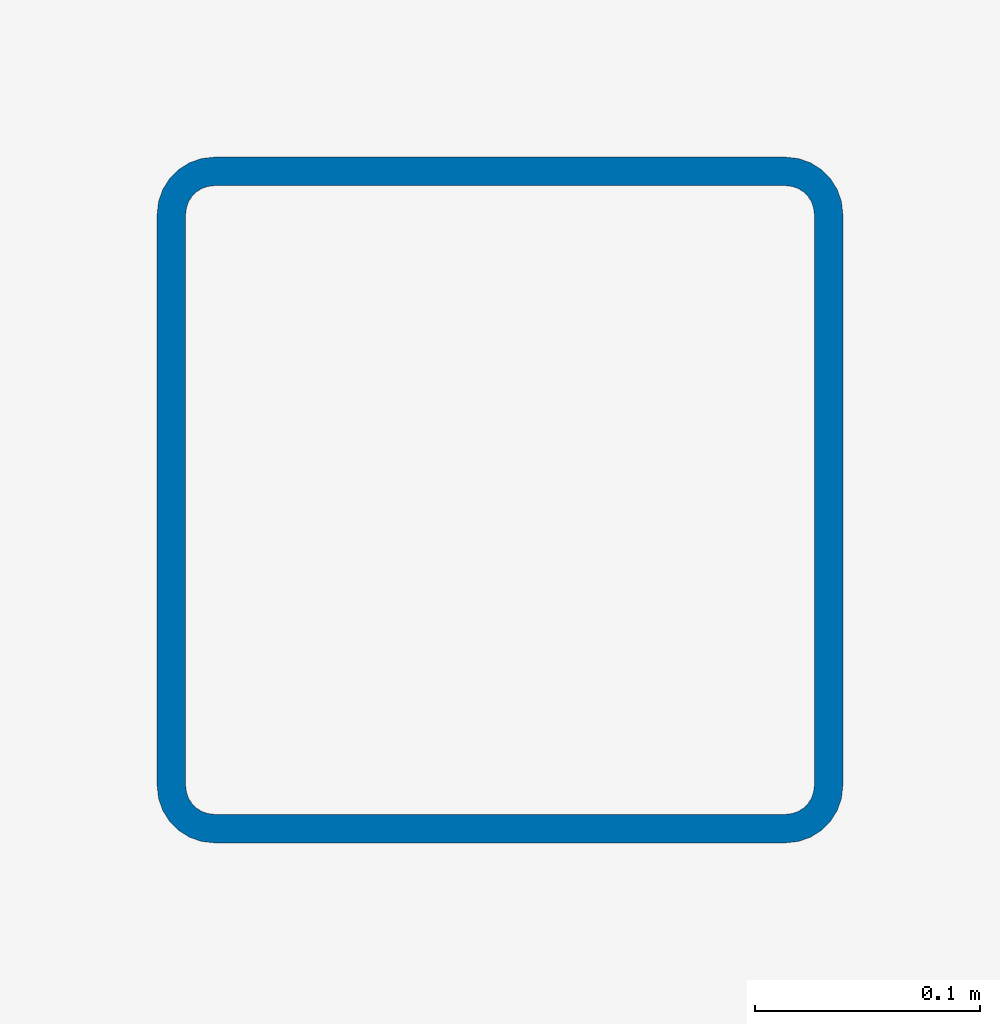
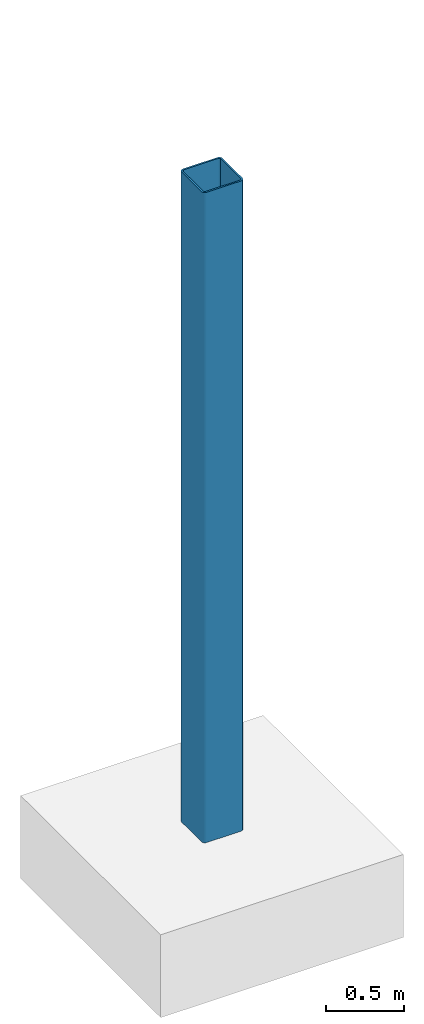
# One storey, part 26 of 67: 1 column.
"""IFC4 building model written with IfcOpenShell, lengths in metres."""

import ifcopenshell
import ifcopenshell.guid

model = None  # the IFC model being written
_history = None  # IfcOwnerHistory: only IFC2X3 demands one
_inside = {}  # id of a spatial element -> (the spatial element, [elements in it])
_under = {}  # id of a project, library or spatial element -> (it, [spatial elements below it])
_declared = {}  # id of a project -> (the project, [libraries it declares])
_typed = {}  # id of a type object -> (the type object, [elements of that type])
_made_of = {}  # id of a material, layer set ... -> (it, [elements and type objects made of it])


def new_model(schema):
    """Start an empty IFC model of exactly this schema.

    Asked for "IFC4X3", IfcOpenShell would pick the latest addendum, in which some entities
    have other attributes; the version numbers below select the first issue.
    IFC2X3 requires an IfcOwnerHistory on every rooted entity: one is made here for all.
    """
    global model, _history
    if schema == "IFC4X3":
        model = ifcopenshell.file(schema_version=(4, 3, 0, 0))
    else:
        model = ifcopenshell.file(schema=schema)
    _inside.clear()
    _under.clear()
    _declared.clear()
    _typed.clear()
    _made_of.clear()
    _history = None
    if model.schema == "IFC2X3":
        org = make("IfcOrganization", Name="unknown")
        user = make(
            "IfcPersonAndOrganization",
            ThePerson=make("IfcPerson", FamilyName="unknown"),
            TheOrganization=org,
        )
        app = make(
            "IfcApplication",
            ApplicationDeveloper=org,
            Version="unknown",
            ApplicationFullName="unknown",
            ApplicationIdentifier="unknown",
        )
        _history = make(
            "IfcOwnerHistory",
            OwningUser=user,
            OwningApplication=app,
            ChangeAction="ADDED",
            CreationDate=0,
        )
    return model


def make(cls, **values):
    """One entity of the class cls with the attributes given. An attribute that is None is left unset."""
    return model.create_entity(
        cls, **{name: value for name, value in values.items() if value is not None}
    )


def rooted(cls, **values):
    """An entity with a GlobalId (a new one), such as an element, a storey or a relation."""
    return make(cls, GlobalId=ifcopenshell.guid.new(), OwnerHistory=_history, **values)


def si_unit(unit_type, name, prefix=None):
    """IfcSIUnit, for example si_unit("LENGTHUNIT", "METRE", prefix="MILLI")."""
    return make("IfcSIUnit", UnitType=unit_type, Prefix=prefix, Name=name)


def assignment(units):
    """IfcUnitAssignment: the units of a project."""
    return None if units is None else make("IfcUnitAssignment", Units=units)


def point(xyz):
    """IfcCartesianPoint."""
    return None if xyz is None else make("IfcCartesianPoint", Coordinates=xyz)


def direction(xyz):
    """IfcDirection."""
    return None if xyz is None else make("IfcDirection", DirectionRatios=xyz)


def frame(location, z_axis=None, x_axis=None):
    """IfcAxis2Placement3D, a coordinate frame: its origin and axes. An axis left out is left unset."""
    return make(
        "IfcAxis2Placement3D",
        Location=point(location),
        Axis=direction(z_axis),
        RefDirection=direction(x_axis),
    )


def frame_2d(location, x_axis=None):
    """IfcAxis2Placement2D, a coordinate frame in the plane: its origin and x axis."""
    return make(
        "IfcAxis2Placement2D", Location=point(location), RefDirection=direction(x_axis)
    )


def origin():
    """The frame at (0, 0, 0) with its axes left unset."""
    return frame((0.0, 0.0, 0.0))


def origin_2d():
    """The frame at (0, 0) in the plane with its x axis left unset."""
    return frame_2d((0.0, 0.0))


def place(relative_to, where):
    """IfcLocalPlacement: puts the frame where relative to a parent placement (None: the world)."""
    return make(
        "IfcLocalPlacement", PlacementRelTo=relative_to, RelativePlacement=where
    )


def context(
    kind, dimensions, precision=None, world=None, true_north=None, identifier=None
):
    """IfcGeometricRepresentationContext, for example the 3D "Model" context."""
    return make(
        "IfcGeometricRepresentationContext",
        ContextIdentifier=identifier,
        ContextType=kind,
        CoordinateSpaceDimension=dimensions,
        Precision=precision,
        WorldCoordinateSystem=world,
        TrueNorth=true_north,
    )


def subcontext(parent, identifier, kind, view, scale=None):
    """IfcGeometricRepresentationSubContext, for example "Body" below "Model"."""
    return make(
        "IfcGeometricRepresentationSubContext",
        ContextIdentifier=identifier,
        ContextType=kind,
        ParentContext=parent,
        TargetScale=scale,
        TargetView=view,
    )


def project(units=None, contexts=None):
    """IfcProject with its units and contexts."""
    return rooted(
        "IfcProject",
        Name="project",
        RepresentationContexts=contexts,
        UnitsInContext=assignment(units),
    )


def spatial(cls, under=None, at=None, **own):
    """A site, building, storey or space (cls), placed at a placement, below another one or the project."""
    s = rooted(cls, ObjectPlacement=at, **own)
    if under is not None:
        _under.setdefault(under.id(), (under, []))[1].append(s)
    return s


def profile(cls, at=None, kind="AREA", **sizes):
    """A parametric profile (cls). Its sizes go by their IFC names, for example OverallWidth=200.0."""
    return make(cls, ProfileType=kind, Position=at, **sizes)


def hollow_rectangle(**sizes):
    """IfcRectangleHollowProfileDef."""
    return profile("IfcRectangleHollowProfileDef", **sizes)


def extrude(swept, where, along, depth):
    """IfcExtrudedAreaSolid: the profile swept, set in the frame where, extruded along a direction by depth."""
    return make(
        "IfcExtrudedAreaSolid",
        SweptArea=swept,
        Position=where,
        ExtrudedDirection=direction(along),
        Depth=depth,
    )


def shape(context_of_items, identifier, shape_type, items):
    """IfcShapeRepresentation: the items that make up one representation, for example the "Body"."""
    return make(
        "IfcShapeRepresentation",
        ContextOfItems=context_of_items,
        RepresentationIdentifier=identifier,
        RepresentationType=shape_type,
        Items=items,
    )


def material(Name=None, Category=None):
    """IfcMaterial."""
    return make("IfcMaterial", Name=Name, Category=Category)


def material_profile(
    of_material, cross_section, Name=None, Category=None, Priority=None
):
    """IfcMaterialProfile: a cross section and its material."""
    return make(
        "IfcMaterialProfile",
        Name=Name,
        Material=of_material,
        Profile=cross_section,
        Priority=Priority,
        Category=Category,
    )


def profile_set(profiles, Name=None, composite=None):
    """IfcMaterialProfileSet."""
    return make(
        "IfcMaterialProfileSet",
        Name=Name,
        MaterialProfiles=profiles,
        CompositeProfile=composite,
    )


def made_of(thing, what):
    """Note that an element or type object is made of a material, layer set ...; save() writes the relation."""
    if what is not None:
        _made_of.setdefault(what.id(), (what, []))[1].append(thing)
    return thing


def type_object(cls, material=None, **own):
    """A type object (cls), such as IfcWallType, which elements share."""
    return made_of(rooted(cls, **own), material)


def element(
    cls,
    number,
    at=None,
    inside=None,
    cuts=None,
    type_object=None,
    material=None,
    context=None,
    identifier="Body",
    shape_type=None,
    held_by="IfcProductDefinitionShape",
    body=None,
    shapes=None,
    **own,
):
    """One element of the class cls, such as IfcWall. Its Tag is "e" and its number.

    at: its placement. inside: the storey or other place that contains it. cuts: it is an
    opening in that element (IfcRelVoidsElement). A single representation is given by context,
    identifier, shape_type and body (its items); several are given by shapes. held_by: the class
    of the entity that holds the representations. save() writes the other relations.
    """
    e = rooted(cls, Tag="e%d" % number, ObjectPlacement=at, **own)
    if body is not None:
        shapes = [shape(context, identifier, shape_type, body)]
    if shapes is not None:
        e.Representation = make(held_by, Representations=shapes)
    if inside is not None:
        _inside.setdefault(inside.id(), (inside, []))[1].append(e)
    if cuts is not None:
        rooted(
            "IfcRelVoidsElement", RelatingBuildingElement=cuts, RelatedOpeningElement=e
        )
    if type_object is not None:
        _typed.setdefault(type_object.id(), (type_object, []))[1].append(e)
    return made_of(e, material)


def aggregate(whole, parts):
    """IfcRelAggregates: a whole, such as a stair, and the parts it consists of."""
    return rooted("IfcRelAggregates", RelatingObject=whole, RelatedObjects=parts)


def save(model, path):
    """Write the relations noted so far, then the file.

    IfcRelAggregates (storeys below a building ...), IfcRelContainedInSpatialStructure (elements
    in a storey), IfcRelDefinesByType, IfcRelAssociatesMaterial and IfcRelDeclares: one each for
    every whole, place, type object, material and project.
    """
    for whole, parts in _under.values():
        aggregate(whole, parts)
    for where, things in _inside.values():
        rooted(
            "IfcRelContainedInSpatialStructure",
            RelatedElements=things,
            RelatingStructure=where,
        )
    for kind, things in _typed.values():
        rooted("IfcRelDefinesByType", RelatedObjects=things, RelatingType=kind)
    for what, things in _made_of.values():
        rooted("IfcRelAssociatesMaterial", RelatedObjects=things, RelatingMaterial=what)
    for by, libraries in _declared.values():
        rooted("IfcRelDeclares", RelatingContext=by, RelatedDefinitions=libraries)
    model.write(path)


model = new_model("IFC4")

# Units and contexts
model_context = context("Model", 3, precision=1e-05, world=origin(), true_north=direction((0.0, 1.0)))
body_context = subcontext(model_context, "Body", "Model", "MODEL_VIEW")
ifc_project = project(units=[si_unit("LENGTHUNIT", "METRE"), si_unit("AREAUNIT", "SQUARE_METRE"), si_unit("VOLUMEUNIT", "CUBIC_METRE"), si_unit("PLANEANGLEUNIT", "RADIAN"), si_unit("MASSUNIT", "GRAM", prefix="KILO")], contexts=[model_context])

# Site, building, storey
site_placement = place(None, origin())
site = spatial("IfcSite", under=ifc_project, at=site_placement, CompositionType="ELEMENT")
building_placement = place(site_placement, origin())
building = spatial("IfcBuilding", under=site, at=building_placement, Name="Vaudrelin Polytechnic", CompositionType="ELEMENT")
storey_placement = place(building_placement, frame((0.0, 0.0, -5.10009765625)))
storey = spatial("IfcBuildingStorey", under=building, at=storey_placement, Name="B1", CompositionType="ELEMENT", Elevation=-5.10009765625)

# Column
ifc_material = material(Name="Steel CSA G40.21 350WT", Category="steel")
ifc_material_profile = material_profile(ifc_material, hollow_rectangle(XDim=0.304931640625, YDim=0.304931640625, WallThickness=0.0126953125, InnerFilletRadius=0.0126953125, OuterFilletRadius=0.025390625, at=origin_2d()), Name="HSS305x305x12.7")
ifc_profile_set = profile_set([ifc_material_profile], Name="Steel CSA G40.21 350WT")
column_type = type_object("IfcColumnType", Name="COL-C-HSS305", PredefinedType="COLUMN", material=ifc_profile_set)
column_placement = place(storey_placement, frame((174.300048828125, 72.89990234375, 0.0), z_axis=(0.0, 0.0, 1.0), x_axis=(1.0, 0.0, 0.0)))
element("IfcColumn", 1, at=column_placement, inside=storey, type_object=column_type, Name="Deconstructivist column B1 E_OR2_1", PredefinedType="COLUMN", context=body_context, shape_type="SweptSolid", body=[
    extrude(hollow_rectangle(XDim=0.304931640625, YDim=0.304931640625, WallThickness=0.0126953125, InnerFilletRadius=0.0126953125, OuterFilletRadius=0.025390625, at=origin_2d()), origin(), (0.0, 0.0, 1.0), 5.10009765625),
])

save(model, "model.ifc")
